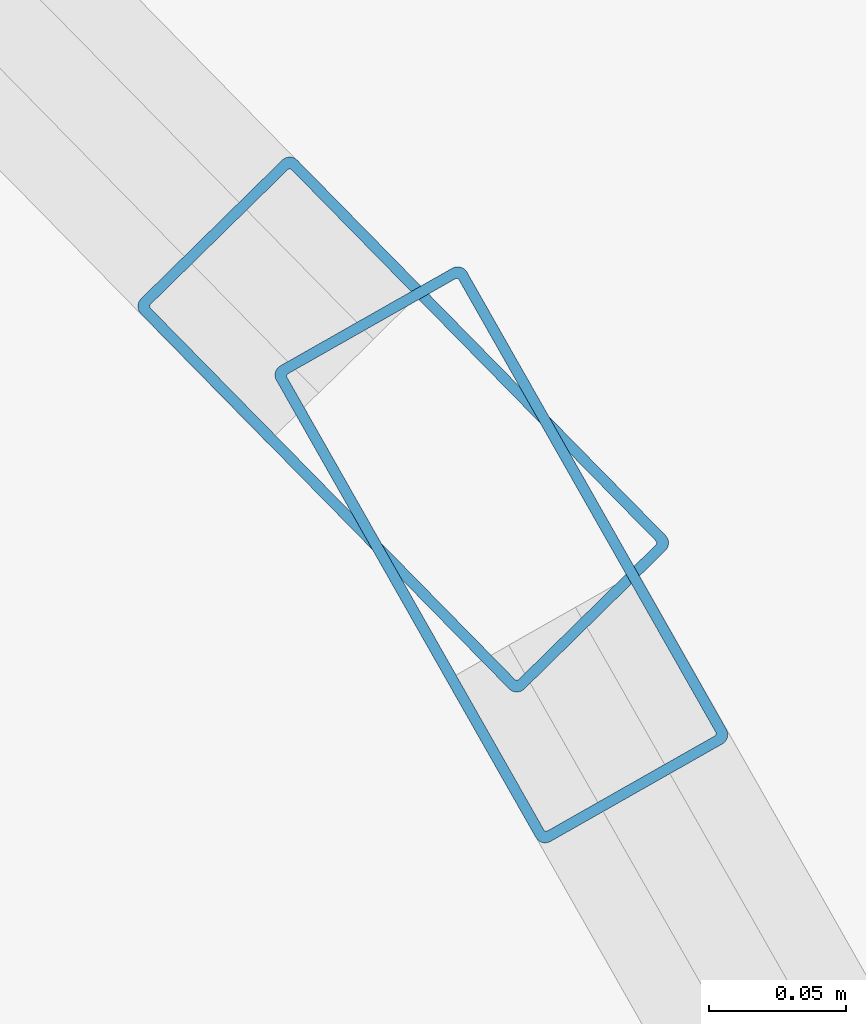
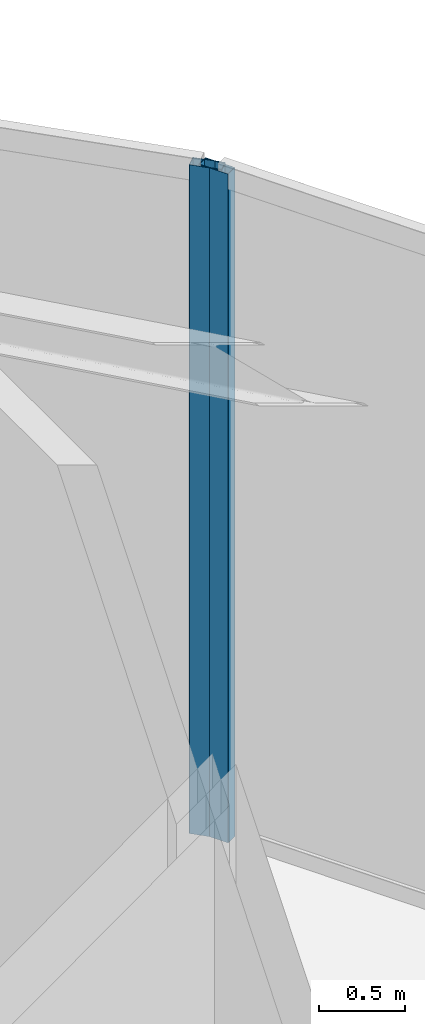
# One storey, part 16 of 23: 2 members, 2 elements without a shape of their own.
"""IFC4 building model written with IfcOpenShell, lengths in metres."""

from ifc_helpers import new_model, si_unit, direction, frame, origin, origin_2d, place, context, subcontext, project, spatial, hollow_rectangle, extrude, material, layer, layer_set, material_profile, profile_set, type_object, element, aggregate, save


model = new_model("IFC4")

# Units and contexts
model_context = context("Model", 3, precision=1e-05, world=origin(), true_north=direction((0.0, 1.0)))
body_context = subcontext(model_context, "Body", "Model", "MODEL_VIEW")
ifc_project = project(units=[si_unit("LENGTHUNIT", "METRE"), si_unit("AREAUNIT", "SQUARE_METRE"), si_unit("VOLUMEUNIT", "CUBIC_METRE"), si_unit("PLANEANGLEUNIT", "RADIAN"), si_unit("MASSUNIT", "GRAM", prefix="KILO")], contexts=[model_context])

# Site, building, storey
site_placement = place(None, origin())
site = spatial("IfcSite", under=ifc_project, at=site_placement, CompositionType="ELEMENT")
building_placement = place(site_placement, origin())
building = spatial("IfcBuilding", under=site, at=building_placement, Name="Bramvorn Convention Spire", CompositionType="ELEMENT")
storey_placement = place(building_placement, frame((0.0, 0.0, 307.5)))
storey = spatial("IfcBuildingStorey", under=building, at=storey_placement, Name="L78", CompositionType="ELEMENT", Elevation=307.5)

# Curtain wall, member
ifc_material_1 = material(Name="Anodised Bronze Unitised Curtain Wall", Category="aluminium")
ifc_layer = layer(ifc_material_1, 0.199951171875)
ifc_layer_set = layer_set([ifc_layer], Name="Anodised Bronze Unitised Curtain Wall - CW-PLANT-LOUVRE")
curtain_wall_type = type_object("IfcCurtainWallType", Name="CW-PLANT-LOUVRE", PredefinedType="USERDEFINED", material=ifc_layer_set)
curtain_wall_1_placement = place(storey_placement, origin())
curtain_wall_1 = element("IfcCurtainWall", 1, at=curtain_wall_1_placement, inside=storey, type_object=curtain_wall_type, Name="L78 fritted glass curtain wall 07", ObjectType="UNITISED CURTAIN WALL", PredefinedType="USERDEFINED")
ifc_material_2 = material(Name="Anodised Bronze Aluminium 6063-T6", Category="aluminium")
ifc_material_profile = material_profile(ifc_material_2, hollow_rectangle(XDim=0.080078125, YDim=0.199951171875, WallThickness=0.00390625, InnerFilletRadius=0.0009765625, OuterFilletRadius=0.00390625, at=origin_2d()))
ifc_profile_set = profile_set([ifc_material_profile], Name="Anodised Bronze Aluminium 6063-T6 - CWM80X200")
member_type = type_object("IfcMemberType", Name="CW-MUL-180", PredefinedType="MULLION", material=ifc_profile_set)
member_1_placement = place(storey_placement, frame((52.8037109375, 38.22607421875, 0.0), z_axis=(0.0, 0.0, 1.0), x_axis=(0.869676062706, 0.493622878275, 0.0)))
member_1 = element("IfcMember", 2, at=member_1_placement, type_object=member_type, Name="CW5 mullion 1", PredefinedType="MULLION", context=body_context, shape_type="SweptSolid", body=[
    extrude(hollow_rectangle(XDim=0.080078125, YDim=0.199951171875, WallThickness=0.00390625, InnerFilletRadius=0.0009765625, OuterFilletRadius=0.00390625, at=origin_2d()), origin(), (0.0, 0.0, 1.0), 4.75),
])
aggregate(curtain_wall_1, [member_1])

curtain_wall_2_placement = place(storey_placement, origin())
curtain_wall_2 = element("IfcCurtainWall", 3, at=curtain_wall_2_placement, inside=storey, type_object=curtain_wall_type, Name="L78 fritted glass curtain wall 08", ObjectType="UNITISED CURTAIN WALL", PredefinedType="USERDEFINED")
member_2_placement = place(storey_placement, frame((52.767822265625, 38.273681640625, 0.0), z_axis=(0.0, 0.0, 1.0), x_axis=(0.713709175592, 0.700442155125, 0.0)))
member_2 = element("IfcMember", 4, at=member_2_placement, type_object=member_type, Name="CW5 mullion 2", PredefinedType="MULLION", context=body_context, shape_type="SweptSolid", body=[
    extrude(hollow_rectangle(XDim=0.080078125, YDim=0.199951171875, WallThickness=0.00390625, InnerFilletRadius=0.0009765625, OuterFilletRadius=0.00390625, at=origin_2d()), origin(), (0.0, 0.0, 1.0), 4.75),
])
aggregate(curtain_wall_2, [member_2])

save(model, "model.ifc")
